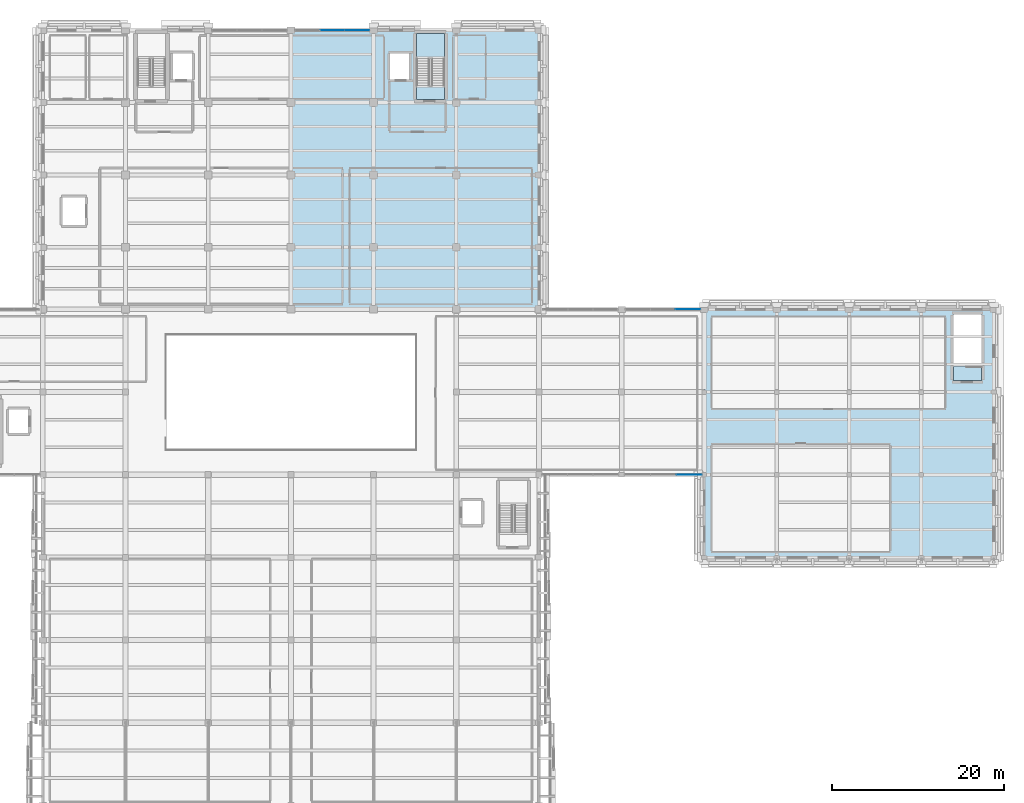
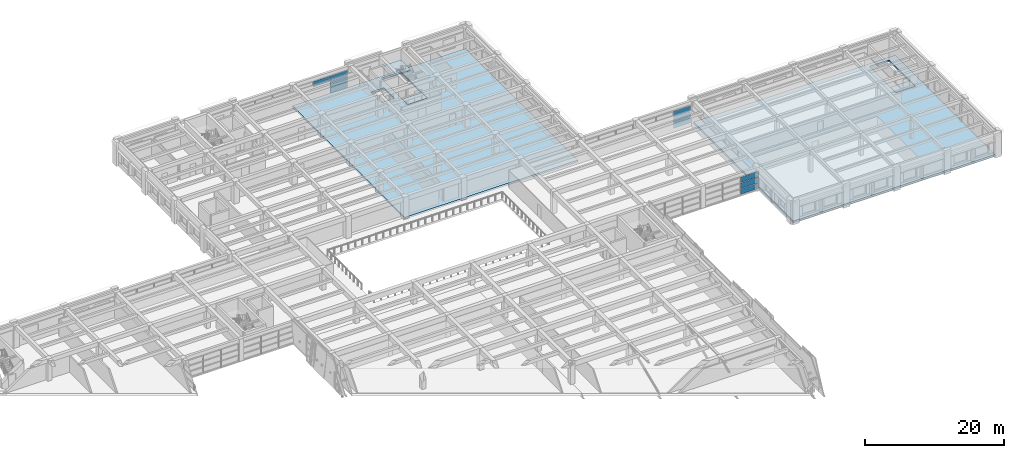
# One storey, part 34 of 62: 10 plates, 5 slabs, 4 elements without a shape of their own.
"""IFC4 building model written with IfcOpenShell, lengths in metres."""

from ifc_helpers import new_model, si_unit, direction, frame, origin, origin_2d, place, context, subcontext, project, spatial, polyline, rectangle, outline, extrude, material, layer, layer_set, type_object, element, aggregate, save


model = new_model("IFC4")

# Units and contexts
model_context = context("Model", 3, precision=1e-05, world=origin(), true_north=direction((0.0, 1.0)))
body_context = subcontext(model_context, "Body", "Model", "MODEL_VIEW")
ifc_project = project(units=[si_unit("LENGTHUNIT", "METRE"), si_unit("AREAUNIT", "SQUARE_METRE"), si_unit("VOLUMEUNIT", "CUBIC_METRE"), si_unit("PLANEANGLEUNIT", "RADIAN"), si_unit("MASSUNIT", "GRAM", prefix="KILO")], contexts=[model_context])

# Site, building, storey
site_placement = place(None, origin())
site = spatial("IfcSite", under=ifc_project, at=site_placement, CompositionType="ELEMENT")
building_placement = place(site_placement, origin())
building = spatial("IfcBuilding", under=site, at=building_placement, Name="Bempovik Park Faculty of Sciences", CompositionType="ELEMENT")
storey_placement = place(building_placement, frame((0.0, 0.0, 9.89990234375)))
storey = spatial("IfcBuildingStorey", under=building, at=storey_placement, Name="L02", CompositionType="ELEMENT", Elevation=9.89990234375)

# Curtain wall, plates
ifc_material_1 = material(Name="Tempered laminated low-E glass", Category="glass")
ifc_layer_1 = layer(ifc_material_1, 0.159912109375)
ifc_layer_set_1 = layer_set([ifc_layer_1], Name="Tempered laminated low-E glass")
curtain_wall_type_1 = type_object("IfcCurtainWallType", Name="CW-41 Curtain 6600x3800", PredefinedType="USERDEFINED", material=ifc_layer_set_1)
curtain_wall_1_placement = place(storey_placement, origin())
curtain_wall_1 = element("IfcCurtainWall", 1, at=curtain_wall_1_placement, inside=storey, type_object=curtain_wall_type_1, Name="L02 Unitised Curtain Wall (87.0,127.2)", ObjectType="UNITISED CURTAIN WALL", PredefinedType="USERDEFINED")
ifc_layer_2 = layer(ifc_material_1, 0.033935546875)
ifc_layer_set_2 = layer_set([ifc_layer_2], Name="Tempered laminated low-E glass")
plate_type_1 = type_object("IfcPlateType", Name="CP-19 Curtain Panel 34mm", PredefinedType="CURTAIN_PANEL", material=ifc_layer_set_2)
plate_1_placement = place(storey_placement, frame((134.898681640625, 87.0, 1.066650390625), z_axis=(0.0, 0.0, 1.0), x_axis=(1.0, 0.0, 0.0)))
plate_1 = element("IfcPlate", 2, at=plate_1_placement, type_object=plate_type_1, Name="CW-BAY-L02-870-1272 Panel 2-1", PredefinedType="CURTAIN_PANEL", context=body_context, shape_type="SweptSolid", body=[
    extrude(rectangle(XDim=2.818603515625, YDim=0.035888671875, at=origin_2d()), origin(), (0.0, 0.0, 1.0), 0.94677734375),
])
plate_2_placement = place(storey_placement, frame((134.898681640625, 87.0, 2.093505859375), z_axis=(0.0, 0.0, 1.0), x_axis=(1.0, 0.0, 0.0)))
plate_2 = element("IfcPlate", 3, at=plate_2_placement, type_object=plate_type_1, Name="CW-BAY-L02-870-1272 Panel 2-2", PredefinedType="CURTAIN_PANEL", context=body_context, shape_type="SweptSolid", body=[
    extrude(rectangle(XDim=2.818603515625, YDim=0.035888671875, at=origin_2d()), origin(), (0.0, 0.0, 1.0), 0.94677734375),
])

curtain_wall_2_placement = place(storey_placement, origin())
curtain_wall_2 = element("IfcCurtainWall", 4, at=curtain_wall_2_placement, inside=storey, type_object=curtain_wall_type_1, Name="L02 Unitised Curtain Wall (67.8,127.2)", ObjectType="UNITISED CURTAIN WALL", PredefinedType="USERDEFINED")
plate_3_placement = place(storey_placement, frame((135.040283203125, 67.800048828125, 1.066650390625), z_axis=(0.0, 0.0, 1.0), x_axis=(1.0, 0.0, 0.0)))
plate_3 = element("IfcPlate", 5, at=plate_3_placement, type_object=plate_type_1, Name="CW-BAY-L02-678-1272 Panel 2-1", PredefinedType="CURTAIN_PANEL", context=body_context, shape_type="SweptSolid", body=[
    extrude(rectangle(XDim=2.915283203125, YDim=0.035888671875, at=origin_2d()), origin(), (0.0, 0.0, 1.0), 0.94677734375),
])
plate_4_placement = place(storey_placement, frame((135.040283203125, 67.800048828125, 2.093505859375), z_axis=(0.0, 0.0, 1.0), x_axis=(1.0, 0.0, 0.0)))
plate_4 = element("IfcPlate", 6, at=plate_4_placement, type_object=plate_type_1, Name="CW-BAY-L02-678-1272 Panel 2-2", PredefinedType="CURTAIN_PANEL", context=body_context, shape_type="SweptSolid", body=[
    extrude(rectangle(XDim=2.915283203125, YDim=0.035888671875, at=origin_2d()), origin(), (0.0, 0.0, 1.0), 0.94677734375),
])

ifc_layer_3 = layer(ifc_material_1, 0.159912109375)
ifc_layer_set_3 = layer_set([ifc_layer_3], Name="Tempered laminated low-E glass")
curtain_wall_type_2 = type_object("IfcCurtainWallType", Name="CW-24 Curtain 7000x3500", PredefinedType="USERDEFINED", material=ifc_layer_set_3)
curtain_wall_3_placement = place(storey_placement, origin())
curtain_wall_3 = element("IfcCurtainWall", 7, at=curtain_wall_3_placement, inside=storey, type_object=curtain_wall_type_2, Name="L02 Unitised Curtain Wall (119.4,88.8)", ObjectType="UNITISED CURTAIN WALL", PredefinedType="USERDEFINED")
ifc_layer_4 = layer(ifc_material_1, 0.028076171875)
ifc_layer_set_4 = layer_set([ifc_layer_4], Name="Tempered laminated low-E glass")
plate_type_2 = type_object("IfcPlateType", Name="CP-20 Curtain Panel 28mm", PredefinedType="CURTAIN_PANEL", material=ifc_layer_set_4)
plate_5_placement = place(storey_placement, frame((93.60009765625, 119.39990234375, 2.093505859375), z_axis=(0.0, 0.0, 1.0), x_axis=(1.0, 0.0, 0.0)))
plate_5 = element("IfcPlate", 8, at=plate_5_placement, type_object=plate_type_2, Name="CW-BAY-L02-1194-888 Panel 1-2", PredefinedType="CURTAIN_PANEL", context=body_context, shape_type="SweptSolid", body=[
    extrude(rectangle(XDim=2.818603515625, YDim=0.035888671875, at=origin_2d()), origin(), (0.0, 0.0, 1.0), 0.94677734375),
])
plate_6_placement = place(storey_placement, frame((96.498779296875, 119.39990234375, 1.066650390625), z_axis=(0.0, 0.0, 1.0), x_axis=(1.0, 0.0, 0.0)))
plate_6 = element("IfcPlate", 9, at=plate_6_placement, type_object=plate_type_2, Name="CW-BAY-L02-1194-888 Panel 2-1", PredefinedType="CURTAIN_PANEL", context=body_context, shape_type="SweptSolid", body=[
    extrude(rectangle(XDim=2.818603515625, YDim=0.035888671875, at=origin_2d()), origin(), (0.0, 0.0, 1.0), 0.94677734375),
])
plate_7_placement = place(storey_placement, frame((96.498779296875, 119.39990234375, 2.093505859375), z_axis=(0.0, 0.0, 1.0), x_axis=(1.0, 0.0, 0.0)))
plate_7 = element("IfcPlate", 10, at=plate_7_placement, type_object=plate_type_2, Name="CW-BAY-L02-1194-888 Panel 2-2", PredefinedType="CURTAIN_PANEL", context=body_context, shape_type="SweptSolid", body=[
    extrude(rectangle(XDim=2.818603515625, YDim=0.035888671875, at=origin_2d()), origin(), (0.0, 0.0, 1.0), 0.94677734375),
])
ifc_material_2 = material(Name="Anodised architectural bronze")
ifc_layer_5 = layer(ifc_material_2, 0.048095703125)
ifc_layer_set_5 = layer_set([ifc_layer_5], Name="Anodised architectural bronze")
plate_type_3 = type_object("IfcPlateType", Name="CP-24 Curtain Panel 48mm", PredefinedType="CURTAIN_PANEL", material=ifc_layer_set_5)
plate_8_placement = place(storey_placement, frame((96.498779296875, 119.39990234375, 0.0400390625), z_axis=(0.0, 0.0, 1.0), x_axis=(1.0, 0.0, 0.0)))
plate_8 = element("IfcPlate", 11, at=plate_8_placement, type_object=plate_type_3, Name="CW-BAY-L02-1194-888 Panel 2-0", PredefinedType="CURTAIN_PANEL", context=body_context, shape_type="SweptSolid", body=[
    extrude(rectangle(XDim=2.818603515625, YDim=0.035888671875, at=origin_2d()), origin(), (0.0, 0.0, 1.0), 0.94677734375),
])
aggregate(curtain_wall_3, [plate_5, plate_8, plate_6, plate_7])

# Plate
plate_9_placement = place(storey_placement, frame((134.898681640625, 87.0, 0.0400390625), z_axis=(0.0, 0.0, 1.0), x_axis=(1.0, 0.0, 0.0)))
plate_9 = element("IfcPlate", 12, at=plate_9_placement, type_object=plate_type_3, Name="CW-BAY-L02-870-1272 Panel 2-0", PredefinedType="CURTAIN_PANEL", context=body_context, shape_type="SweptSolid", body=[
    extrude(rectangle(XDim=2.818603515625, YDim=0.035888671875, at=origin_2d()), origin(), (0.0, 0.0, 1.0), 0.94677734375),
])

aggregate(curtain_wall_1, [plate_9, plate_1, plate_2])

plate_10_placement = place(storey_placement, frame((135.040283203125, 67.800048828125, 0.0400390625), z_axis=(0.0, 0.0, 1.0), x_axis=(1.0, 0.0, 0.0)))
plate_10 = element("IfcPlate", 13, at=plate_10_placement, type_object=plate_type_3, Name="CW-BAY-L02-678-1272 Panel 2-0", PredefinedType="CURTAIN_PANEL", context=body_context, shape_type="SweptSolid", body=[
    extrude(rectangle(XDim=2.915283203125, YDim=0.035888671875, at=origin_2d()), origin(), (0.0, 0.0, 1.0), 0.94677734375),
])

aggregate(curtain_wall_2, [plate_10, plate_3, plate_4])

# Slabs
ifc_material_3 = material(Name="Concrete C35/45", Category="concrete")
ifc_layer_6 = layer(ifc_material_3, 0.260009765625)
ifc_layer_set_6 = layer_set([ifc_layer_6], Name="Concrete C35/45")
slab_type_1 = type_object("IfcSlabType", Name="S-13 Slab 260mm", PredefinedType="FLOOR", material=ifc_layer_set_6)
slab_1_placement = place(storey_placement, frame((0.0, 0.0, -0.31982421875)))
element("IfcSlab", 14, at=slab_1_placement, inside=storey, type_object=slab_type_1, Name="L02 East Seminar Wing Floor Slab (M)", PredefinedType="FLOOR", context=body_context, shape_type="SweptSolid", body=[
    extrude(outline(polyline([(136.800048828125, 58.199951171875), (170.39990234375, 58.199951171875), (170.39990234375, 87.0), (136.800048828125, 87.0), (136.800048828125, 58.199951171875)]), holes=[polyline([(165.75, 78.75), (169.0, 78.75), (169.0, 86.375), (165.75, 86.375), (165.75, 78.75)])]), origin(), (0.0, 0.0, 1.0), 0.31982421875),
])
ifc_layer_7 = layer(ifc_material_3, 0.280029296875)
ifc_layer_set_7 = layer_set([ifc_layer_7], Name="Concrete C35/45")
slab_type_2 = type_object("IfcSlabType", Name="S-32 Slab 280mm", PredefinedType="FLOOR", material=ifc_layer_set_7)
slab_2_placement = place(storey_placement, frame((0.0, 0.0, -0.31982421875)))
element("IfcSlab", 15, at=slab_2_placement, inside=storey, type_object=slab_type_2, Name="L02 North Research Tower Floor Slab (E)", PredefinedType="FLOOR", context=body_context, shape_type="SweptSolid", body=[
    extrude(outline(polyline([(88.800048828125, 87.0), (117.60009765625, 87.0), (117.60009765625, 119.39990234375), (88.800048828125, 119.39990234375), (88.800048828125, 87.0)]), holes=[polyline([(103.375, 111.375), (106.625, 111.375), (106.625, 119.0), (103.375, 119.0), (103.375, 111.375)]), polyline([(100.300048828125, 113.699951171875), (102.5, 113.699951171875), (102.5, 116.699951171875), (100.300048828125, 116.699951171875), (100.300048828125, 113.699951171875)])]), origin(), (0.0, 0.0, 1.0), 0.31982421875),
])

# Stair, slab
stair_type = type_object("IfcStairType", Name="ST-16 Stair W1500 H4200", PredefinedType="HALF_TURN_STAIR", material=ifc_material_3)
stair_placement = place(storey_placement, origin())
stair = element("IfcStair", 16, at=stair_placement, inside=storey, type_object=stair_type, Name="L02 ST-2 Dog-Leg Exit Stair", PredefinedType="HALF_TURN_STAIR")
ifc_layer_8 = layer(ifc_material_3, 0.199951171875)
ifc_layer_set_8 = layer_set([ifc_layer_8], Name="Concrete C35/45")
slab_type_3 = type_object("IfcSlabType", Name="S-41 Slab 200mm", PredefinedType="LANDING", material=ifc_layer_set_8)
slab_3_placement = place(storey_placement, frame((0.0, 0.0, 1.900146484375)))
slab_3 = element("IfcSlab", 17, at=slab_3_placement, type_object=slab_type_3, Name="ST-16 landing 1", PredefinedType="LANDING", context=body_context, shape_type="SweptSolid", body=[
    extrude(outline(polyline([(106.625, 116.09375), (106.625, 119.0), (103.375, 119.0), (103.375, 116.09375), (106.625, 116.09375)])), origin(), (0.0, 0.0, 1.0), 0.199951171875),
])
aggregate(stair, [slab_3])

# Slabs
slab_4_placement = place(storey_placement, frame((0.0, 0.0, -0.31982421875)))
element("IfcSlab", 18, at=slab_4_placement, inside=storey, type_object=slab_type_3, Name="L02 ST-2 Floor Landing Slab", PredefinedType="LANDING", context=body_context, shape_type="SweptSolid", body=[
    extrude(outline(polyline([(106.625, 111.375), (106.625, 113.0), (103.375, 113.0), (103.375, 111.375), (106.625, 111.375)])), origin(), (0.0, 0.0, 1.0), 0.31982421875),
])
slab_5_placement = place(storey_placement, frame((0.0, 0.0, -0.31982421875)))
element("IfcSlab", 19, at=slab_5_placement, inside=storey, type_object=slab_type_3, Name="L02 ST-6 Floor Landing Slab", PredefinedType="LANDING", context=body_context, shape_type="SweptSolid", body=[
    extrude(outline(polyline([(169.0, 78.75), (169.0, 80.375), (165.75, 80.375), (165.75, 78.75), (169.0, 78.75)])), origin(), (0.0, 0.0, 1.0), 0.31982421875),
])

save(model, "model.ifc")
